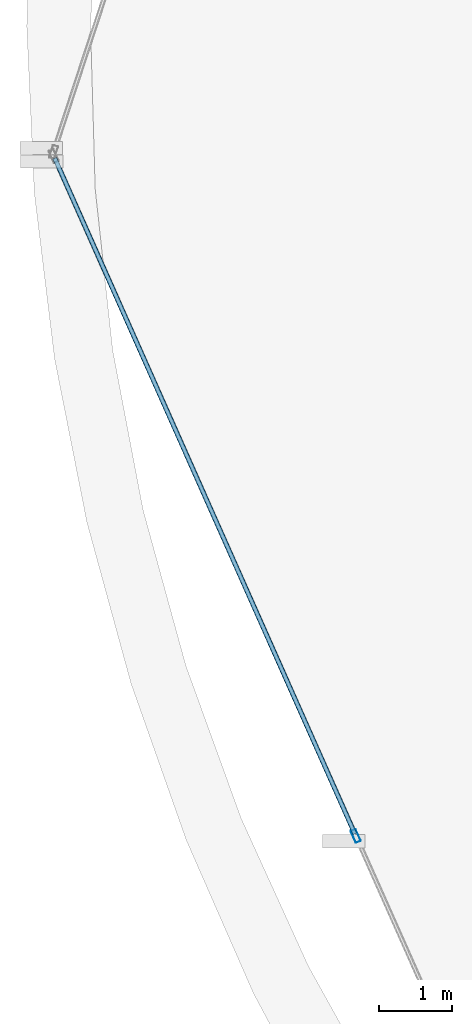
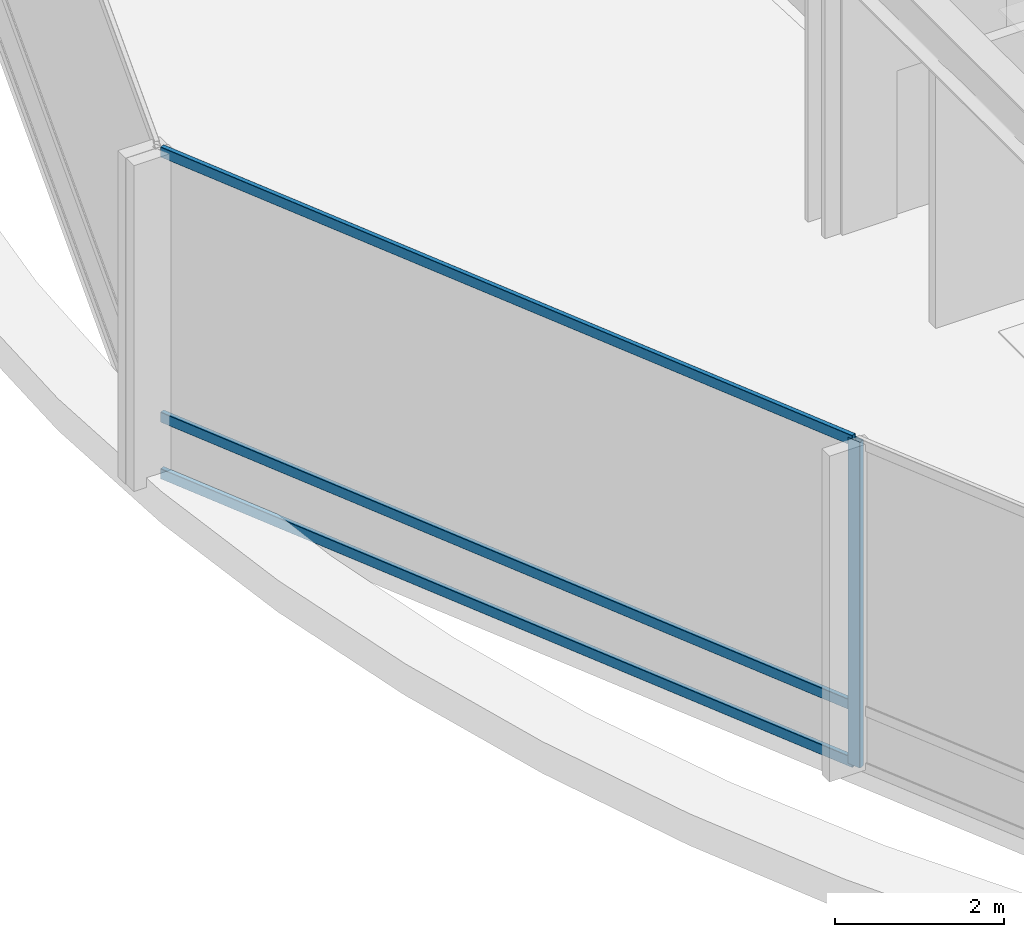
# One storey, part 5 of 39: 4 members, 1 element without a shape of its own.
"""IFC4 building model written with IfcOpenShell, lengths in metres."""

import ifcopenshell
import ifcopenshell.guid

model = None  # the IFC model being written
_history = None  # IfcOwnerHistory: only IFC2X3 demands one
_inside = {}  # id of a spatial element -> (the spatial element, [elements in it])
_under = {}  # id of a project, library or spatial element -> (it, [spatial elements below it])
_declared = {}  # id of a project -> (the project, [libraries it declares])
_typed = {}  # id of a type object -> (the type object, [elements of that type])
_made_of = {}  # id of a material, layer set ... -> (it, [elements and type objects made of it])


def new_model(schema):
    """Start an empty IFC model of exactly this schema.

    Asked for "IFC4X3", IfcOpenShell would pick the latest addendum, in which some entities
    have other attributes; the version numbers below select the first issue.
    IFC2X3 requires an IfcOwnerHistory on every rooted entity: one is made here for all.
    """
    global model, _history
    if schema == "IFC4X3":
        model = ifcopenshell.file(schema_version=(4, 3, 0, 0))
    else:
        model = ifcopenshell.file(schema=schema)
    _inside.clear()
    _under.clear()
    _declared.clear()
    _typed.clear()
    _made_of.clear()
    _history = None
    if model.schema == "IFC2X3":
        org = make("IfcOrganization", Name="unknown")
        user = make(
            "IfcPersonAndOrganization",
            ThePerson=make("IfcPerson", FamilyName="unknown"),
            TheOrganization=org,
        )
        app = make(
            "IfcApplication",
            ApplicationDeveloper=org,
            Version="unknown",
            ApplicationFullName="unknown",
            ApplicationIdentifier="unknown",
        )
        _history = make(
            "IfcOwnerHistory",
            OwningUser=user,
            OwningApplication=app,
            ChangeAction="ADDED",
            CreationDate=0,
        )
    return model


def make(cls, **values):
    """One entity of the class cls with the attributes given. An attribute that is None is left unset."""
    return model.create_entity(
        cls, **{name: value for name, value in values.items() if value is not None}
    )


def rooted(cls, **values):
    """An entity with a GlobalId (a new one), such as an element, a storey or a relation."""
    return make(cls, GlobalId=ifcopenshell.guid.new(), OwnerHistory=_history, **values)


def si_unit(unit_type, name, prefix=None):
    """IfcSIUnit, for example si_unit("LENGTHUNIT", "METRE", prefix="MILLI")."""
    return make("IfcSIUnit", UnitType=unit_type, Prefix=prefix, Name=name)


def assignment(units):
    """IfcUnitAssignment: the units of a project."""
    return None if units is None else make("IfcUnitAssignment", Units=units)


def point(xyz):
    """IfcCartesianPoint."""
    return None if xyz is None else make("IfcCartesianPoint", Coordinates=xyz)


def direction(xyz):
    """IfcDirection."""
    return None if xyz is None else make("IfcDirection", DirectionRatios=xyz)


def frame(location, z_axis=None, x_axis=None):
    """IfcAxis2Placement3D, a coordinate frame: its origin and axes. An axis left out is left unset."""
    return make(
        "IfcAxis2Placement3D",
        Location=point(location),
        Axis=direction(z_axis),
        RefDirection=direction(x_axis),
    )


def frame_2d(location, x_axis=None):
    """IfcAxis2Placement2D, a coordinate frame in the plane: its origin and x axis."""
    return make(
        "IfcAxis2Placement2D", Location=point(location), RefDirection=direction(x_axis)
    )


def origin():
    """The frame at (0, 0, 0) with its axes left unset."""
    return frame((0.0, 0.0, 0.0))


def origin_2d():
    """The frame at (0, 0) in the plane with its x axis left unset."""
    return frame_2d((0.0, 0.0))


def place(relative_to, where):
    """IfcLocalPlacement: puts the frame where relative to a parent placement (None: the world)."""
    return make(
        "IfcLocalPlacement", PlacementRelTo=relative_to, RelativePlacement=where
    )


def context(
    kind, dimensions, precision=None, world=None, true_north=None, identifier=None
):
    """IfcGeometricRepresentationContext, for example the 3D "Model" context."""
    return make(
        "IfcGeometricRepresentationContext",
        ContextIdentifier=identifier,
        ContextType=kind,
        CoordinateSpaceDimension=dimensions,
        Precision=precision,
        WorldCoordinateSystem=world,
        TrueNorth=true_north,
    )


def subcontext(parent, identifier, kind, view, scale=None):
    """IfcGeometricRepresentationSubContext, for example "Body" below "Model"."""
    return make(
        "IfcGeometricRepresentationSubContext",
        ContextIdentifier=identifier,
        ContextType=kind,
        ParentContext=parent,
        TargetScale=scale,
        TargetView=view,
    )


def project(units=None, contexts=None):
    """IfcProject with its units and contexts."""
    return rooted(
        "IfcProject",
        Name="project",
        RepresentationContexts=contexts,
        UnitsInContext=assignment(units),
    )


def spatial(cls, under=None, at=None, **own):
    """A site, building, storey or space (cls), placed at a placement, below another one or the project."""
    s = rooted(cls, ObjectPlacement=at, **own)
    if under is not None:
        _under.setdefault(under.id(), (under, []))[1].append(s)
    return s


def profile(cls, at=None, kind="AREA", **sizes):
    """A parametric profile (cls). Its sizes go by their IFC names, for example OverallWidth=200.0."""
    return make(cls, ProfileType=kind, Position=at, **sizes)


def hollow_rectangle(**sizes):
    """IfcRectangleHollowProfileDef."""
    return profile("IfcRectangleHollowProfileDef", **sizes)


def extrude(swept, where, along, depth):
    """IfcExtrudedAreaSolid: the profile swept, set in the frame where, extruded along a direction by depth."""
    return make(
        "IfcExtrudedAreaSolid",
        SweptArea=swept,
        Position=where,
        ExtrudedDirection=direction(along),
        Depth=depth,
    )


def shape(context_of_items, identifier, shape_type, items):
    """IfcShapeRepresentation: the items that make up one representation, for example the "Body"."""
    return make(
        "IfcShapeRepresentation",
        ContextOfItems=context_of_items,
        RepresentationIdentifier=identifier,
        RepresentationType=shape_type,
        Items=items,
    )


def material(Name=None, Category=None):
    """IfcMaterial."""
    return make("IfcMaterial", Name=Name, Category=Category)


def layer(
    of_material, thickness, ventilated=None, Name=None, Category=None, Priority=None
):
    """IfcMaterialLayer: one layer of a wall or slab, of a material (None: an air gap)."""
    return make(
        "IfcMaterialLayer",
        Material=of_material,
        LayerThickness=thickness,
        IsVentilated=ventilated,
        Name=Name,
        Category=Category,
        Priority=Priority,
    )


def layer_set(layers, Name=None):
    """IfcMaterialLayerSet."""
    return make("IfcMaterialLayerSet", MaterialLayers=layers, LayerSetName=Name)


def material_profile(
    of_material, cross_section, Name=None, Category=None, Priority=None
):
    """IfcMaterialProfile: a cross section and its material."""
    return make(
        "IfcMaterialProfile",
        Name=Name,
        Material=of_material,
        Profile=cross_section,
        Priority=Priority,
        Category=Category,
    )


def profile_set(profiles, Name=None, composite=None):
    """IfcMaterialProfileSet."""
    return make(
        "IfcMaterialProfileSet",
        Name=Name,
        MaterialProfiles=profiles,
        CompositeProfile=composite,
    )


def made_of(thing, what):
    """Note that an element or type object is made of a material, layer set ...; save() writes the relation."""
    if what is not None:
        _made_of.setdefault(what.id(), (what, []))[1].append(thing)
    return thing


def type_object(cls, material=None, **own):
    """A type object (cls), such as IfcWallType, which elements share."""
    return made_of(rooted(cls, **own), material)


def element(
    cls,
    number,
    at=None,
    inside=None,
    cuts=None,
    type_object=None,
    material=None,
    context=None,
    identifier="Body",
    shape_type=None,
    held_by="IfcProductDefinitionShape",
    body=None,
    shapes=None,
    **own,
):
    """One element of the class cls, such as IfcWall. Its Tag is "e" and its number.

    at: its placement. inside: the storey or other place that contains it. cuts: it is an
    opening in that element (IfcRelVoidsElement). A single representation is given by context,
    identifier, shape_type and body (its items); several are given by shapes. held_by: the class
    of the entity that holds the representations. save() writes the other relations.
    """
    e = rooted(cls, Tag="e%d" % number, ObjectPlacement=at, **own)
    if body is not None:
        shapes = [shape(context, identifier, shape_type, body)]
    if shapes is not None:
        e.Representation = make(held_by, Representations=shapes)
    if inside is not None:
        _inside.setdefault(inside.id(), (inside, []))[1].append(e)
    if cuts is not None:
        rooted(
            "IfcRelVoidsElement", RelatingBuildingElement=cuts, RelatedOpeningElement=e
        )
    if type_object is not None:
        _typed.setdefault(type_object.id(), (type_object, []))[1].append(e)
    return made_of(e, material)


def aggregate(whole, parts):
    """IfcRelAggregates: a whole, such as a stair, and the parts it consists of."""
    return rooted("IfcRelAggregates", RelatingObject=whole, RelatedObjects=parts)


def save(model, path):
    """Write the relations noted so far, then the file.

    IfcRelAggregates (storeys below a building ...), IfcRelContainedInSpatialStructure (elements
    in a storey), IfcRelDefinesByType, IfcRelAssociatesMaterial and IfcRelDeclares: one each for
    every whole, place, type object, material and project.
    """
    for whole, parts in _under.values():
        aggregate(whole, parts)
    for where, things in _inside.values():
        rooted(
            "IfcRelContainedInSpatialStructure",
            RelatedElements=things,
            RelatingStructure=where,
        )
    for kind, things in _typed.values():
        rooted("IfcRelDefinesByType", RelatedObjects=things, RelatingType=kind)
    for what, things in _made_of.values():
        rooted("IfcRelAssociatesMaterial", RelatedObjects=things, RelatingMaterial=what)
    for by, libraries in _declared.values():
        rooted("IfcRelDeclares", RelatingContext=by, RelatedDefinitions=libraries)
    model.write(path)


model = new_model("IFC4")

# Units and contexts
model_context = context("Model", 3, precision=1e-05, world=origin(), true_north=direction((0.0, 1.0)))
body_context = subcontext(model_context, "Body", "Model", "MODEL_VIEW")
ifc_project = project(units=[si_unit("LENGTHUNIT", "METRE"), si_unit("AREAUNIT", "SQUARE_METRE"), si_unit("VOLUMEUNIT", "CUBIC_METRE"), si_unit("PLANEANGLEUNIT", "RADIAN"), si_unit("MASSUNIT", "GRAM", prefix="KILO")], contexts=[model_context])

# Site, building, storey
site_placement = place(None, origin())
site = spatial("IfcSite", under=ifc_project, at=site_placement, CompositionType="ELEMENT")
building_placement = place(site_placement, origin())
building = spatial("IfcBuilding", under=site, at=building_placement, Name="Solvaryn Broadcast Tower", CompositionType="ELEMENT")
storey_placement = place(building_placement, frame((0.0, 0.0, 84.10009765625)))
storey = spatial("IfcBuildingStorey", under=building, at=storey_placement, Name="L20", CompositionType="ELEMENT", Elevation=84.10009765625)

# Curtain wall, members
ifc_material_1 = material(Name="Aluminium and Terracotta Unitised Curtain Wall", Category="masonry")
ifc_layer = layer(ifc_material_1, 0.25)
ifc_layer_set = layer_set([ifc_layer], Name="CW-SYS4-SKYGARDEN")
curtain_wall_type = type_object("IfcCurtainWallType", Name="CW-SYS4-SKYGARDEN", PredefinedType="NOTDEFINED", material=ifc_layer_set)
curtain_wall_placement = place(storey_placement, origin())
curtain_wall = element("IfcCurtainWall", 1, at=curtain_wall_placement, inside=storey, type_object=curtain_wall_type, Name="L20 Curtain Wall DR2", PredefinedType="NOTDEFINED")
ifc_material_2 = material(Name="Anodised Aluminium 6063-T6", Category="aluminium")
ifc_material_profile_1 = material_profile(ifc_material_2, hollow_rectangle(XDim=0.074951171875, YDim=0.179931640625, WallThickness=0.00390625, InnerFilletRadius=0.00390625, OuterFilletRadius=0.008056640625, at=origin_2d()))
ifc_profile_set_1 = profile_set([ifc_material_profile_1], Name="Anodised Aluminium 6063-T6")
member_type_1 = type_object("IfcMemberType", Name="CW-MUL-180", PredefinedType="MULLION", material=ifc_profile_set_1)
member_1_placement = place(storey_placement, frame((3.69140625, 17.20361328125, 0.0), z_axis=(0.0, 0.0, 1.0), x_axis=(0.913918257271, 0.405898286554, 0.0)))
member_1 = element("IfcMember", 2, at=member_1_placement, type_object=member_type_1, Name="CWS4 mullion 2", PredefinedType="MULLION", context=body_context, shape_type="SweptSolid", body=[
    extrude(hollow_rectangle(XDim=0.074951171875, YDim=0.179931640625, WallThickness=0.00390625, InnerFilletRadius=0.00390625, OuterFilletRadius=0.008056640625, at=origin_2d()), origin(), (0.0, 0.0, 1.0), 4.719970703125),
])
ifc_material_3 = material(Name="Anodised Aluminium 6063-T6", Category="aluminium")
ifc_material_profile_2 = material_profile(ifc_material_3, hollow_rectangle(XDim=0.06494140625, YDim=0.14990234375, WallThickness=0.00390625, InnerFilletRadius=0.00390625, OuterFilletRadius=0.008056640625, at=origin_2d()))
ifc_profile_set_2 = profile_set([ifc_material_profile_2], Name="Anodised Aluminium 6063-T6")
member_type_2 = type_object("IfcMemberType", Name="CW-TRN-150", PredefinedType="USERDEFINED", material=ifc_profile_set_2)
member_2_placement = place(storey_placement, frame((-0.439697265625, 26.505126953125, 0.02978515625), z_axis=(0.40591523062, -0.913910731719, 0.0), x_axis=(0.913910731719, 0.40591523062, 0.0)))
member_2 = element("IfcMember", 3, at=member_2_placement, type_object=member_type_2, Name="CWS4 transom 1.1", ObjectType="TRANSOM", PredefinedType="USERDEFINED", context=body_context, shape_type="SweptSolid", body=[
    extrude(hollow_rectangle(XDim=0.06494140625, YDim=0.14990234375, WallThickness=0.00390625, InnerFilletRadius=0.00390625, OuterFilletRadius=0.008056640625, at=origin_2d()), origin(), (0.0, 0.0, 1.0), 10.147705078125),
])
member_3_placement = place(storey_placement, frame((-0.439697265625, 26.505126953125, 0.849853515625), z_axis=(0.40591523062, -0.913910731719, 0.0), x_axis=(0.913910731719, 0.40591523062, 0.0)))
member_3 = element("IfcMember", 4, at=member_3_placement, type_object=member_type_2, Name="CWS4 transom 1.2", ObjectType="TRANSOM", PredefinedType="USERDEFINED", context=body_context, shape_type="SweptSolid", body=[
    extrude(hollow_rectangle(XDim=0.06494140625, YDim=0.14990234375, WallThickness=0.00390625, InnerFilletRadius=0.00390625, OuterFilletRadius=0.008056640625, at=origin_2d()), origin(), (0.0, 0.0, 1.0), 10.147705078125),
])
member_4_placement = place(storey_placement, frame((-0.439697265625, 26.505126953125, 4.68994140625), z_axis=(0.40591523062, -0.913910731719, 0.0), x_axis=(0.913910731719, 0.40591523062, 0.0)))
member_4 = element("IfcMember", 5, at=member_4_placement, type_object=member_type_2, Name="CWS4 transom 1.3", ObjectType="TRANSOM", PredefinedType="USERDEFINED", context=body_context, shape_type="SweptSolid", body=[
    extrude(hollow_rectangle(XDim=0.06494140625, YDim=0.14990234375, WallThickness=0.00390625, InnerFilletRadius=0.00390625, OuterFilletRadius=0.008056640625, at=origin_2d()), origin(), (0.0, 0.0, 1.0), 10.147705078125),
])
aggregate(curtain_wall, [member_1, member_2, member_3, member_4])

save(model, "model.ifc")
